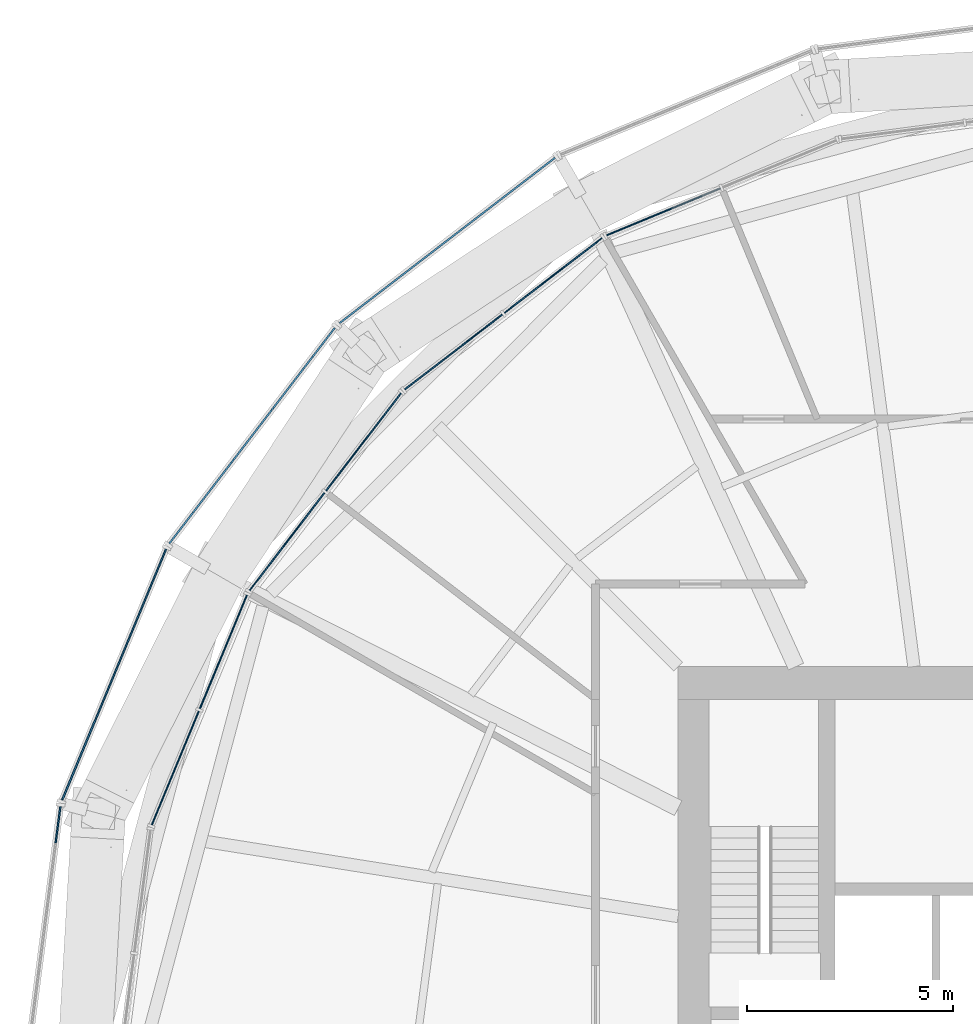
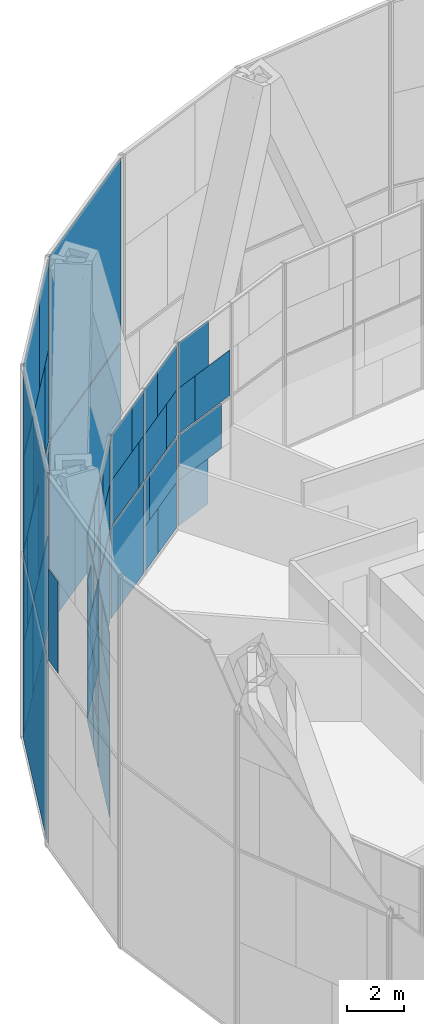
# One storey, part 16 of 22: 59 plates, 8 elements without a shape of their own.
"""IFC4 building model written with IfcOpenShell, lengths in metres."""

from ifc_helpers import new_model, si_unit, direction, frame, origin, origin_2d, place, context, subcontext, project, spatial, rectangle, extrude, material, layer, layer_set, type_object, element, aggregate, save


model = new_model("IFC4")

# Units and contexts
model_context = context("Model", 3, precision=1e-05, world=origin(), true_north=direction((0.0, 1.0)))
body_context = subcontext(model_context, "Body", "Model", "MODEL_VIEW")
ifc_project = project(units=[si_unit("LENGTHUNIT", "METRE"), si_unit("AREAUNIT", "SQUARE_METRE"), si_unit("VOLUMEUNIT", "CUBIC_METRE"), si_unit("PLANEANGLEUNIT", "RADIAN"), si_unit("MASSUNIT", "GRAM", prefix="KILO")], contexts=[model_context])

# Site, building, storey
site_placement = place(None, origin())
site = spatial("IfcSite", under=ifc_project, at=site_placement, CompositionType="ELEMENT")
building_placement = place(site_placement, origin())
building = spatial("IfcBuilding", under=site, at=building_placement, Name="Golbaran Civic Tower", CompositionType="ELEMENT")
storey_placement = place(building_placement, frame((0.0, 0.0, 53.0)))
storey = spatial("IfcBuildingStorey", under=building, at=storey_placement, Name="L12", CompositionType="ELEMENT", Elevation=53.0)

# Curtain wall, plates
ifc_material_1 = material(Name="Aluminium and glass", Category="aluminium")
curtain_wall_type_1 = type_object("IfcCurtainWallType", Name="INNER SKIN CURTAIN WALL", PredefinedType="NOTDEFINED", material=ifc_material_1)
curtain_wall_1_placement = place(storey_placement, origin())
curtain_wall_1 = element("IfcCurtainWall", 1, at=curtain_wall_1_placement, inside=storey, type_object=curtain_wall_type_1, Name="Inner skin L12 facet 8 CW1", ObjectType="INNER SKIN", PredefinedType="USERDEFINED")
ifc_material_2 = material(Name="Clear insulating glass", Category="glass")
ifc_layer_1 = layer(ifc_material_2, 0.031982421875, Name="Clear insulating glass")
ifc_layer_set_1 = layer_set([ifc_layer_1], Name="Clear insulating glass")
plate_type_1 = type_object("IfcPlateType", Name="INNER SKIN CURTAIN WALL GLAZED PANEL", PredefinedType="CURTAIN_PANEL", material=ifc_layer_set_1)
plate_1_placement = place(storey_placement, frame((-11.292724609375, 20.63232421875, 4.032470703125), z_axis=(0.0, 0.0, 1.0), x_axis=(-0.923879532491, -0.382683432413, 0.0)))
plate_1 = element("IfcPlate", 2, at=plate_1_placement, type_object=plate_type_1, Name="CW1 panel 2.2 part 2", PredefinedType="CURTAIN_PANEL", context=body_context, shape_type="SweptSolid", body=[
    extrude(rectangle(XDim=0.951904296875, YDim=0.031982421875, at=origin_2d()), origin(), (0.0, 0.0, 1.0), 1.951171875),
])
plate_2_placement = place(storey_placement, frame((-10.92822265625, 20.783203125, 5.98388671875), z_axis=(0.0, 0.0, 1.0), x_axis=(-0.923879532491, -0.382683432413, 0.0)))
plate_2 = element("IfcPlate", 3, at=plate_2_placement, type_object=plate_type_1, Name="CW1 panel 2.2 part 4", PredefinedType="CURTAIN_PANEL", context=body_context, shape_type="SweptSolid", body=[
    extrude(rectangle(XDim=1.740966796875, YDim=0.031982421875, at=origin_2d()), origin(), (0.0, 0.0, 1.0), 1.951171875),
])

curtain_wall_2_placement = place(storey_placement, origin())
curtain_wall_2 = element("IfcCurtainWall", 4, at=curtain_wall_2_placement, inside=storey, type_object=curtain_wall_type_1, Name="Inner skin L12 facet 9 CW1", ObjectType="INNER SKIN", PredefinedType="USERDEFINED")
plate_3_placement = place(storey_placement, frame((-13.704833984375, 18.957763671875, 0.06494140625), z_axis=(0.0, 0.0, 1.0), x_axis=(-0.79335334027, -0.608761429036, 0.0)))
plate_3 = element("IfcPlate", 5, at=plate_3_placement, type_object=plate_type_1, Name="CW1 panel 1.1 part 2", PredefinedType="CURTAIN_PANEL", context=body_context, shape_type="SweptSolid", body=[
    extrude(rectangle(XDim=1.27099609375, YDim=0.031982421875, at=origin_2d()), origin(), (0.0, 0.0, 1.0), 1.951171875),
])
plate_4_placement = place(storey_placement, frame((-14.016357421875, 18.71875, 2.016357421875), z_axis=(0.0, 0.0, 1.0), x_axis=(-0.79335334027, -0.608761429036, 0.0)))
plate_4 = element("IfcPlate", 6, at=plate_4_placement, type_object=plate_type_1, Name="CW1 panel 1.1 part 4", PredefinedType="CURTAIN_PANEL", context=body_context, shape_type="SweptSolid", body=[
    extrude(rectangle(XDim=0.48583984375, YDim=0.031982421875, at=origin_2d()), origin(), (0.0, 0.0, 1.0), 1.951171875),
])
plate_5_placement = place(storey_placement, frame((-12.2216796875, 20.095947265625, 4.032470703125), z_axis=(0.0, 0.0, 1.0), x_axis=(-0.79335334027, -0.608761429036, 0.0)))
plate_5 = element("IfcPlate", 7, at=plate_5_placement, type_object=plate_type_1, Name="CW1 panel 1.2 part 1", PredefinedType="CURTAIN_PANEL", context=body_context, shape_type="SweptSolid", body=[
    extrude(rectangle(XDim=0.951904296875, YDim=0.031982421875, at=origin_2d()), origin(), (0.0, 0.0, 1.0), 1.951171875),
])
plate_6_placement = place(storey_placement, frame((-12.53466796875, 19.855712890625, 5.98388671875), z_axis=(0.0, 0.0, 1.0), x_axis=(-0.79335334027, -0.608761429036, 0.0)))
plate_6 = element("IfcPlate", 8, at=plate_6_placement, type_object=plate_type_1, Name="CW1 panel 1.2 part 3", PredefinedType="CURTAIN_PANEL", context=body_context, shape_type="SweptSolid", body=[
    extrude(rectangle(XDim=1.740966796875, YDim=0.031982421875, at=origin_2d()), origin(), (0.0, 0.0, 1.0), 1.951171875),
])
plate_7_placement = place(storey_placement, frame((-15.443115234375, 17.6240234375, 0.06494140625), z_axis=(0.0, 0.0, 1.0), x_axis=(-0.79335334027, -0.608761429036, 0.0)))
plate_7 = element("IfcPlate", 9, at=plate_7_placement, type_object=plate_type_1, Name="CW1 panel 2.1", PredefinedType="CURTAIN_PANEL", context=body_context, shape_type="SweptSolid", body=[
    extrude(rectangle(XDim=2.98095703125, YDim=0.031982421875, at=origin_2d()), origin(), (0.0, 0.0, 1.0), 3.902587890625),
])
plate_8_placement = place(storey_placement, frame((-15.601806640625, 17.502197265625, 4.032470703125), z_axis=(0.0, 0.0, 1.0), x_axis=(-0.79335334027, -0.608761429036, 0.0)))
plate_8 = element("IfcPlate", 10, at=plate_8_placement, type_object=plate_type_1, Name="CW1 panel 2.2 part 2", PredefinedType="CURTAIN_PANEL", context=body_context, shape_type="SweptSolid", body=[
    extrude(rectangle(XDim=2.5810546875, YDim=0.031982421875, at=origin_2d()), origin(), (0.0, 0.0, 1.0), 1.951171875),
])
plate_9_placement = place(storey_placement, frame((-15.857666015625, 17.305908203125, 5.98388671875), z_axis=(0.0, 0.0, 1.0), x_axis=(-0.79335334027, -0.608761429036, 0.0)))
plate_9 = element("IfcPlate", 11, at=plate_9_placement, type_object=plate_type_1, Name="CW1 panel 2.2 part 4", PredefinedType="CURTAIN_PANEL", context=body_context, shape_type="SweptSolid", body=[
    extrude(rectangle(XDim=1.93603515625, YDim=0.031982421875, at=origin_2d()), origin(), (0.0, 0.0, 1.0), 1.951171875),
])

curtain_wall_3_placement = place(storey_placement, origin())
curtain_wall_3 = element("IfcCurtainWall", 12, at=curtain_wall_3_placement, inside=storey, type_object=curtain_wall_type_1, Name="Inner skin L12 facet 10 CW1", ObjectType="INNER SKIN", PredefinedType="USERDEFINED")
plate_10_placement = place(storey_placement, frame((-17.6240234375, 15.443115234375, 0.06494140625), z_axis=(0.0, 0.0, 1.0), x_axis=(-0.608761429036, -0.79335334027, 0.0)))
plate_10 = element("IfcPlate", 13, at=plate_10_placement, type_object=plate_type_1, Name="CW1 panel 1.1", PredefinedType="CURTAIN_PANEL", context=body_context, shape_type="SweptSolid", body=[
    extrude(rectangle(XDim=2.98095703125, YDim=0.031982421875, at=origin_2d()), origin(), (0.0, 0.0, 1.0), 3.902587890625),
])
plate_11_placement = place(storey_placement, frame((-17.501708984375, 15.6025390625, 4.032470703125), z_axis=(0.0, 0.0, 1.0), x_axis=(-0.608761429036, -0.79335334027, 0.0)))
plate_11 = element("IfcPlate", 14, at=plate_11_placement, type_object=plate_type_1, Name="CW1 panel 1.2 part 1", PredefinedType="CURTAIN_PANEL", context=body_context, shape_type="SweptSolid", body=[
    extrude(rectangle(XDim=2.5791015625, YDim=0.031982421875, at=origin_2d()), origin(), (0.0, 0.0, 1.0), 1.951171875),
])
plate_12_placement = place(storey_placement, frame((-17.305908203125, 15.857666015625, 5.98388671875), z_axis=(0.0, 0.0, 1.0), x_axis=(-0.608761429036, -0.79335334027, 0.0)))
plate_12 = element("IfcPlate", 15, at=plate_12_placement, type_object=plate_type_1, Name="CW1 panel 1.2 part 3", PredefinedType="CURTAIN_PANEL", context=body_context, shape_type="SweptSolid", body=[
    extrude(rectangle(XDim=1.93603515625, YDim=0.031982421875, at=origin_2d()), origin(), (0.0, 0.0, 1.0), 1.951171875),
])
plate_13_placement = place(storey_placement, frame((-18.957763671875, 13.704833984375, 0.06494140625), z_axis=(0.0, 0.0, 1.0), x_axis=(-0.608761429036, -0.79335334027, 0.0)))
plate_13 = element("IfcPlate", 16, at=plate_13_placement, type_object=plate_type_1, Name="CW1 panel 2.1 part 1", PredefinedType="CURTAIN_PANEL", context=body_context, shape_type="SweptSolid", body=[
    extrude(rectangle(XDim=1.27099609375, YDim=0.031982421875, at=origin_2d()), origin(), (0.0, 0.0, 1.0), 1.951171875),
])
plate_14_placement = place(storey_placement, frame((-18.718994140625, 14.016357421875, 2.016357421875), z_axis=(0.0, 0.0, 1.0), x_axis=(-0.608761429036, -0.79335334027, 0.0)))
plate_14 = element("IfcPlate", 17, at=plate_14_placement, type_object=plate_type_1, Name="CW1 panel 2.1 part 3", PredefinedType="CURTAIN_PANEL", context=body_context, shape_type="SweptSolid", body=[
    extrude(rectangle(XDim=0.486083984375, YDim=0.031982421875, at=origin_2d()), origin(), (0.0, 0.0, 1.0), 1.951171875),
])
plate_15_placement = place(storey_placement, frame((-20.095947265625, 12.2216796875, 4.032470703125), z_axis=(0.0, 0.0, 1.0), x_axis=(-0.608761429036, -0.79335334027, 0.0)))
plate_15 = element("IfcPlate", 18, at=plate_15_placement, type_object=plate_type_1, Name="CW1 panel 2.2 part 2", PredefinedType="CURTAIN_PANEL", context=body_context, shape_type="SweptSolid", body=[
    extrude(rectangle(XDim=0.951904296875, YDim=0.031982421875, at=origin_2d()), origin(), (0.0, 0.0, 1.0), 1.951171875),
])
plate_16_placement = place(storey_placement, frame((-19.855712890625, 12.53466796875, 5.98388671875), z_axis=(0.0, 0.0, 1.0), x_axis=(-0.608761429036, -0.79335334027, 0.0)))
plate_16 = element("IfcPlate", 19, at=plate_16_placement, type_object=plate_type_1, Name="CW1 panel 2.2 part 4", PredefinedType="CURTAIN_PANEL", context=body_context, shape_type="SweptSolid", body=[
    extrude(rectangle(XDim=1.740966796875, YDim=0.031982421875, at=origin_2d()), origin(), (0.0, 0.0, 1.0), 1.951171875),
])

curtain_wall_4_placement = place(storey_placement, origin())
curtain_wall_4 = element("IfcCurtainWall", 20, at=curtain_wall_4_placement, inside=storey, type_object=curtain_wall_type_1, Name="Inner skin L12 facet 11 CW1", ObjectType="INNER SKIN", PredefinedType="USERDEFINED")
plate_17_placement = place(storey_placement, frame((-21.34765625, 9.5654296875, 0.06494140625), z_axis=(0.0, 0.0, 1.0), x_axis=(-0.382683432413, -0.923879532491, 0.0)))
plate_17 = element("IfcPlate", 21, at=plate_17_placement, type_object=plate_type_1, Name="CW1 panel 1.1 part 2", PredefinedType="CURTAIN_PANEL", context=body_context, shape_type="SweptSolid", body=[
    extrude(rectangle(XDim=1.27099609375, YDim=0.031982421875, at=origin_2d()), origin(), (0.0, 0.0, 1.0), 1.951171875),
])
plate_18_placement = place(storey_placement, frame((-21.497802734375, 9.202880859375, 2.016357421875), z_axis=(0.0, 0.0, 1.0), x_axis=(-0.382683432413, -0.923879532491, 0.0)))
plate_18 = element("IfcPlate", 22, at=plate_18_placement, type_object=plate_type_1, Name="CW1 panel 1.1 part 4", PredefinedType="CURTAIN_PANEL", context=body_context, shape_type="SweptSolid", body=[
    extrude(rectangle(XDim=0.48583984375, YDim=0.031982421875, at=origin_2d()), origin(), (0.0, 0.0, 1.0), 1.951171875),
])
plate_19_placement = place(storey_placement, frame((-20.63232421875, 11.292724609375, 4.032470703125), z_axis=(0.0, 0.0, 1.0), x_axis=(-0.382683432413, -0.923879532491, 0.0)))
plate_19 = element("IfcPlate", 23, at=plate_19_placement, type_object=plate_type_1, Name="CW1 panel 1.2 part 1", PredefinedType="CURTAIN_PANEL", context=body_context, shape_type="SweptSolid", body=[
    extrude(rectangle(XDim=0.951904296875, YDim=0.031982421875, at=origin_2d()), origin(), (0.0, 0.0, 1.0), 1.951171875),
])
plate_20_placement = place(storey_placement, frame((-20.783203125, 10.92822265625, 5.98388671875), z_axis=(0.0, 0.0, 1.0), x_axis=(-0.382683432413, -0.923879532491, 0.0)))
plate_20 = element("IfcPlate", 24, at=plate_20_placement, type_object=plate_type_1, Name="CW1 panel 1.2 part 3", PredefinedType="CURTAIN_PANEL", context=body_context, shape_type="SweptSolid", body=[
    extrude(rectangle(XDim=1.740966796875, YDim=0.031982421875, at=origin_2d()), origin(), (0.0, 0.0, 1.0), 1.951171875),
])
plate_21_placement = place(storey_placement, frame((-22.18603515625, 7.541259765625, 0.06494140625), z_axis=(0.0, 0.0, 1.0), x_axis=(-0.382683432413, -0.923879532491, 0.0)))
plate_21 = element("IfcPlate", 25, at=plate_21_placement, type_object=plate_type_1, Name="CW1 panel 2.1", PredefinedType="CURTAIN_PANEL", context=body_context, shape_type="SweptSolid", body=[
    extrude(rectangle(XDim=2.98095703125, YDim=0.031982421875, at=origin_2d()), origin(), (0.0, 0.0, 1.0), 3.902587890625),
])
plate_22_placement = place(storey_placement, frame((-22.2626953125, 7.3564453125, 4.032470703125), z_axis=(0.0, 0.0, 1.0), x_axis=(-0.382683432413, -0.923879532491, 0.0)))
plate_22 = element("IfcPlate", 26, at=plate_22_placement, type_object=plate_type_1, Name="CW1 panel 2.2 part 2", PredefinedType="CURTAIN_PANEL", context=body_context, shape_type="SweptSolid", body=[
    extrude(rectangle(XDim=2.5810546875, YDim=0.031982421875, at=origin_2d()), origin(), (0.0, 0.0, 1.0), 1.951171875),
])
plate_23_placement = place(storey_placement, frame((-22.385986328125, 7.05859375, 5.98388671875), z_axis=(0.0, 0.0, 1.0), x_axis=(-0.382683432413, -0.923879532491, 0.0)))
plate_23 = element("IfcPlate", 27, at=plate_23_placement, type_object=plate_type_1, Name="CW1 panel 2.2 part 4", PredefinedType="CURTAIN_PANEL", context=body_context, shape_type="SweptSolid", body=[
    extrude(rectangle(XDim=1.93603515625, YDim=0.031982421875, at=origin_2d()), origin(), (0.0, 0.0, 1.0), 1.951171875),
])

# Plate
ifc_material_3 = material(Name="Aluminium faced opaque infill panel", Category="aluminium")
ifc_layer_2 = layer(ifc_material_3, 0.031982421875, Name="Aluminium faced opaque infill panel")
ifc_layer_set_2 = layer_set([ifc_layer_2], Name="Aluminium faced opaque infill panel")
plate_type_2 = type_object("IfcPlateType", Name="INNER SKIN CURTAIN WALL OPAQUE INFILL PANEL", PredefinedType="CURTAIN_PANEL", material=ifc_layer_set_2)
plate_24_placement = place(storey_placement, frame((-10.942626953125, 20.77734375, 0.06494140625), z_axis=(0.0, 0.0, 1.0), x_axis=(-0.923879532491, -0.382683432413, 0.0)))
plate_24 = element("IfcPlate", 28, at=plate_24_placement, type_object=plate_type_2, Name="CW1 infill panel 2.1 part 2", PredefinedType="CURTAIN_PANEL", context=body_context, shape_type="SweptSolid", body=[
    extrude(rectangle(XDim=1.7099609375, YDim=0.031982421875, at=origin_2d()), origin(), (0.0, 0.0, 1.0), 1.951171875),
])

plate_25_placement = place(storey_placement, frame((-10.579833984375, 20.927490234375, 2.016357421875), z_axis=(0.0, 0.0, 1.0), x_axis=(-0.923879532491, -0.382683432413, 0.0)))
plate_25 = element("IfcPlate", 29, at=plate_25_placement, type_object=plate_type_2, Name="CW1 infill panel 2.1 part 4", PredefinedType="CURTAIN_PANEL", context=body_context, shape_type="SweptSolid", body=[
    extrude(rectangle(XDim=2.494873046875, YDim=0.031982421875, at=origin_2d()), origin(), (0.0, 0.0, 1.0), 1.951171875),
])

plate_26_placement = place(storey_placement, frame((-9.915771484375, 21.20263671875, 4.032470703125), z_axis=(0.0, 0.0, 1.0), x_axis=(-0.923879532491, -0.382683432413, 0.0)))
plate_26 = element("IfcPlate", 30, at=plate_26_placement, type_object=plate_type_2, Name="CW1 infill panel 2.2 part 1", PredefinedType="CURTAIN_PANEL", context=body_context, shape_type="SweptSolid", body=[
    extrude(rectangle(XDim=2.029052734375, YDim=0.031982421875, at=origin_2d()), origin(), (0.0, 0.0, 1.0), 1.951171875),
])

aggregate(curtain_wall_1, [plate_24, plate_25, plate_26, plate_1, plate_2])

plate_27_placement = place(storey_placement, frame((-12.5224609375, 19.865234375, 0.06494140625), z_axis=(0.0, 0.0, 1.0), x_axis=(-0.79335334027, -0.608761429036, 0.0)))
plate_27 = element("IfcPlate", 31, at=plate_27_placement, type_object=plate_type_2, Name="CW1 infill panel 1.1 part 1", PredefinedType="CURTAIN_PANEL", context=body_context, shape_type="SweptSolid", body=[
    extrude(rectangle(XDim=1.7099609375, YDim=0.031982421875, at=origin_2d()), origin(), (0.0, 0.0, 1.0), 1.951171875),
])

plate_28_placement = place(storey_placement, frame((-12.833740234375, 19.626220703125, 2.016357421875), z_axis=(0.0, 0.0, 1.0), x_axis=(-0.79335334027, -0.608761429036, 0.0)))
plate_28 = element("IfcPlate", 32, at=plate_28_placement, type_object=plate_type_2, Name="CW1 infill panel 1.1 part 3", PredefinedType="CURTAIN_PANEL", context=body_context, shape_type="SweptSolid", body=[
    extrude(rectangle(XDim=2.4951171875, YDim=0.031982421875, at=origin_2d()), origin(), (0.0, 0.0, 1.0), 1.951171875),
])

plate_29_placement = place(storey_placement, frame((-13.404296875, 19.1884765625, 4.032470703125), z_axis=(0.0, 0.0, 1.0), x_axis=(-0.79335334027, -0.608761429036, 0.0)))
plate_29 = element("IfcPlate", 33, at=plate_29_placement, type_object=plate_type_2, Name="CW1 infill panel 1.2 part 2", PredefinedType="CURTAIN_PANEL", context=body_context, shape_type="SweptSolid", body=[
    extrude(rectangle(XDim=2.029052734375, YDim=0.031982421875, at=origin_2d()), origin(), (0.0, 0.0, 1.0), 1.951171875),
])

plate_30_placement = place(storey_placement, frame((-13.717041015625, 18.948486328125, 5.98388671875), z_axis=(0.0, 0.0, 1.0), x_axis=(-0.79335334027, -0.608761429036, 0.0)))
plate_30 = element("IfcPlate", 34, at=plate_30_placement, type_object=plate_type_2, Name="CW1 infill panel 1.2 part 4", PredefinedType="CURTAIN_PANEL", context=body_context, shape_type="SweptSolid", body=[
    extrude(rectangle(XDim=1.239990234375, YDim=0.031982421875, at=origin_2d()), origin(), (0.0, 0.0, 1.0), 1.951171875),
])

plate_31_placement = place(storey_placement, frame((-14.419189453125, 18.40966796875, 4.032470703125), z_axis=(0.0, 0.0, 1.0), x_axis=(-0.79335334027, -0.608761429036, 0.0)))
plate_31 = element("IfcPlate", 35, at=plate_31_placement, type_object=plate_type_2, Name="CW1 infill panel 2.2 part 1", PredefinedType="CURTAIN_PANEL", context=body_context, shape_type="SweptSolid", body=[
    extrude(rectangle(XDim=0.39990234375, YDim=0.031982421875, at=origin_2d()), origin(), (0.0, 0.0, 1.0), 1.951171875),
])

plate_32_placement = place(storey_placement, frame((-14.675048828125, 18.21337890625, 5.98388671875), z_axis=(0.0, 0.0, 1.0), x_axis=(-0.79335334027, -0.608761429036, 0.0)))
plate_32 = element("IfcPlate", 36, at=plate_32_placement, type_object=plate_type_2, Name="CW1 infill panel 2.2 part 3", PredefinedType="CURTAIN_PANEL", context=body_context, shape_type="SweptSolid", body=[
    extrude(rectangle(XDim=1.044921875, YDim=0.031982421875, at=origin_2d()), origin(), (0.0, 0.0, 1.0), 1.951171875),
])

aggregate(curtain_wall_2, [plate_27, plate_3, plate_28, plate_4, plate_5, plate_29, plate_6, plate_30, plate_7, plate_31, plate_8, plate_32, plate_9])

plate_33_placement = place(storey_placement, frame((-18.408935546875, 14.419921875, 4.032470703125), z_axis=(0.0, 0.0, 1.0), x_axis=(-0.608761429036, -0.79335334027, 0.0)))
plate_33 = element("IfcPlate", 37, at=plate_33_placement, type_object=plate_type_2, Name="CW1 infill panel 1.2 part 2", PredefinedType="CURTAIN_PANEL", context=body_context, shape_type="SweptSolid", body=[
    extrude(rectangle(XDim=0.40185546875, YDim=0.031982421875, at=origin_2d()), origin(), (0.0, 0.0, 1.0), 1.951171875),
])

plate_34_placement = place(storey_placement, frame((-18.21337890625, 14.675048828125, 5.98388671875), z_axis=(0.0, 0.0, 1.0), x_axis=(-0.608761429036, -0.79335334027, 0.0)))
plate_34 = element("IfcPlate", 38, at=plate_34_placement, type_object=plate_type_2, Name="CW1 infill panel 1.2 part 4", PredefinedType="CURTAIN_PANEL", context=body_context, shape_type="SweptSolid", body=[
    extrude(rectangle(XDim=1.044921875, YDim=0.031982421875, at=origin_2d()), origin(), (0.0, 0.0, 1.0), 1.951171875),
])

plate_35_placement = place(storey_placement, frame((-19.865234375, 12.5224609375, 0.06494140625), z_axis=(0.0, 0.0, 1.0), x_axis=(-0.608761429036, -0.79335334027, 0.0)))
plate_35 = element("IfcPlate", 39, at=plate_35_placement, type_object=plate_type_2, Name="CW1 infill panel 2.1 part 2", PredefinedType="CURTAIN_PANEL", context=body_context, shape_type="SweptSolid", body=[
    extrude(rectangle(XDim=1.7099609375, YDim=0.031982421875, at=origin_2d()), origin(), (0.0, 0.0, 1.0), 1.951171875),
])

plate_36_placement = place(storey_placement, frame((-19.626220703125, 12.833740234375, 2.016357421875), z_axis=(0.0, 0.0, 1.0), x_axis=(-0.608761429036, -0.79335334027, 0.0)))
plate_36 = element("IfcPlate", 40, at=plate_36_placement, type_object=plate_type_2, Name="CW1 infill panel 2.1 part 4", PredefinedType="CURTAIN_PANEL", context=body_context, shape_type="SweptSolid", body=[
    extrude(rectangle(XDim=2.494873046875, YDim=0.031982421875, at=origin_2d()), origin(), (0.0, 0.0, 1.0), 1.951171875),
])

plate_37_placement = place(storey_placement, frame((-19.1884765625, 13.404052734375, 4.032470703125), z_axis=(0.0, 0.0, 1.0), x_axis=(-0.608761429036, -0.79335334027, 0.0)))
plate_37 = element("IfcPlate", 41, at=plate_37_placement, type_object=plate_type_2, Name="CW1 infill panel 2.2 part 1", PredefinedType="CURTAIN_PANEL", context=body_context, shape_type="SweptSolid", body=[
    extrude(rectangle(XDim=2.029052734375, YDim=0.031982421875, at=origin_2d()), origin(), (0.0, 0.0, 1.0), 1.951171875),
])

plate_38_placement = place(storey_placement, frame((-18.948486328125, 13.717041015625, 5.98388671875), z_axis=(0.0, 0.0, 1.0), x_axis=(-0.608761429036, -0.79335334027, 0.0)))
plate_38 = element("IfcPlate", 42, at=plate_38_placement, type_object=plate_type_2, Name="CW1 infill panel 2.2 part 3", PredefinedType="CURTAIN_PANEL", context=body_context, shape_type="SweptSolid", body=[
    extrude(rectangle(XDim=1.239990234375, YDim=0.031982421875, at=origin_2d()), origin(), (0.0, 0.0, 1.0), 1.951171875),
])

aggregate(curtain_wall_3, [plate_10, plate_11, plate_33, plate_12, plate_34, plate_13, plate_35, plate_14, plate_36, plate_37, plate_15, plate_38, plate_16])

plate_39_placement = place(storey_placement, frame((-20.77734375, 10.942626953125, 0.06494140625), z_axis=(0.0, 0.0, 1.0), x_axis=(-0.382683432413, -0.923879532491, 0.0)))
plate_39 = element("IfcPlate", 43, at=plate_39_placement, type_object=plate_type_2, Name="CW1 infill panel 1.1 part 1", PredefinedType="CURTAIN_PANEL", context=body_context, shape_type="SweptSolid", body=[
    extrude(rectangle(XDim=1.7099609375, YDim=0.031982421875, at=origin_2d()), origin(), (0.0, 0.0, 1.0), 1.951171875),
])

plate_40_placement = place(storey_placement, frame((-20.927490234375, 10.579833984375, 2.016357421875), z_axis=(0.0, 0.0, 1.0), x_axis=(-0.382683432413, -0.923879532491, 0.0)))
plate_40 = element("IfcPlate", 44, at=plate_40_placement, type_object=plate_type_2, Name="CW1 infill panel 1.1 part 3", PredefinedType="CURTAIN_PANEL", context=body_context, shape_type="SweptSolid", body=[
    extrude(rectangle(XDim=2.4951171875, YDim=0.031982421875, at=origin_2d()), origin(), (0.0, 0.0, 1.0), 1.951171875),
])

plate_41_placement = place(storey_placement, frame((-21.20263671875, 9.915771484375, 4.032470703125), z_axis=(0.0, 0.0, 1.0), x_axis=(-0.382683432413, -0.923879532491, 0.0)))
plate_41 = element("IfcPlate", 45, at=plate_41_placement, type_object=plate_type_2, Name="CW1 infill panel 1.2 part 2", PredefinedType="CURTAIN_PANEL", context=body_context, shape_type="SweptSolid", body=[
    extrude(rectangle(XDim=2.029052734375, YDim=0.031982421875, at=origin_2d()), origin(), (0.0, 0.0, 1.0), 1.951171875),
])

plate_42_placement = place(storey_placement, frame((-21.353515625, 9.55126953125, 5.98388671875), z_axis=(0.0, 0.0, 1.0), x_axis=(-0.382683432413, -0.923879532491, 0.0)))
plate_42 = element("IfcPlate", 46, at=plate_42_placement, type_object=plate_type_2, Name="CW1 infill panel 1.2 part 4", PredefinedType="CURTAIN_PANEL", context=body_context, shape_type="SweptSolid", body=[
    extrude(rectangle(XDim=1.239990234375, YDim=0.031982421875, at=origin_2d()), origin(), (0.0, 0.0, 1.0), 1.951171875),
])

plate_43_placement = place(storey_placement, frame((-21.692138671875, 8.733642578125, 4.032470703125), z_axis=(0.0, 0.0, 1.0), x_axis=(-0.382683432413, -0.923879532491, 0.0)))
plate_43 = element("IfcPlate", 47, at=plate_43_placement, type_object=plate_type_2, Name="CW1 infill panel 2.2 part 1", PredefinedType="CURTAIN_PANEL", context=body_context, shape_type="SweptSolid", body=[
    extrude(rectangle(XDim=0.39990234375, YDim=0.031982421875, at=origin_2d()), origin(), (0.0, 0.0, 1.0), 1.951171875),
])

plate_44_placement = place(storey_placement, frame((-21.815673828125, 8.435546875, 5.98388671875), z_axis=(0.0, 0.0, 1.0), x_axis=(-0.382683432413, -0.923879532491, 0.0)))
plate_44 = element("IfcPlate", 48, at=plate_44_placement, type_object=plate_type_2, Name="CW1 infill panel 2.2 part 3", PredefinedType="CURTAIN_PANEL", context=body_context, shape_type="SweptSolid", body=[
    extrude(rectangle(XDim=1.044921875, YDim=0.031982421875, at=origin_2d()), origin(), (0.0, 0.0, 1.0), 1.951171875),
])

aggregate(curtain_wall_4, [plate_39, plate_17, plate_40, plate_18, plate_19, plate_41, plate_20, plate_42, plate_21, plate_43, plate_22, plate_44, plate_23])

# Curtain wall, plates
curtain_wall_type_2 = type_object("IfcCurtainWallType", Name="OUTER SKIN TERRACOTTA SCREEN", PredefinedType="NOTDEFINED", material=ifc_material_1)
curtain_wall_5_placement = place(storey_placement, origin())
curtain_wall_5 = element("IfcCurtainWall", 49, at=curtain_wall_5_placement, inside=storey, type_object=curtain_wall_type_2, Name="Outer skin L12 facet 10 CW3", ObjectType="OUTER SKIN", PredefinedType="USERDEFINED")
ifc_material_4 = material(Name="Clear laminated glass", Category="glass")
ifc_layer_3 = layer(ifc_material_4, 0.0400390625, Name="Clear laminated glass")
ifc_layer_set_3 = layer_set([ifc_layer_3], Name="Clear laminated glass")
plate_type_3 = type_object("IfcPlateType", Name="OUTER SKIN CLEAR GLASS PANEL", PredefinedType="CURTAIN_PANEL", material=ifc_layer_set_3)
plate_45_placement = place(storey_placement, frame((-19.570556640625, 16.58056640625, -0.6298828125), z_axis=(0.0, 0.0, 1.0), x_axis=(-0.608761428926, -0.793353340355, 0.0)))
plate_45 = element("IfcPlate", 50, at=plate_45_placement, type_object=plate_type_3, Name="CW3 panel 1.1 part 1", PredefinedType="CURTAIN_PANEL", context=body_context, shape_type="SweptSolid", body=[
    extrude(rectangle(XDim=4.10498046875, YDim=0.0400390625, at=origin_2d()), origin(), (0.0, 0.0, 1.0), 3.93994140625),
])
plate_46_placement = place(storey_placement, frame((-19.08544921875, 17.212890625, 3.31005859375), z_axis=(0.0, 0.0, 1.0), x_axis=(-0.608761428926, -0.793353340355, 0.0)))
plate_46 = element("IfcPlate", 51, at=plate_46_placement, type_object=plate_type_3, Name="CW3 panel 1.1 part 3", PredefinedType="CURTAIN_PANEL", context=body_context, shape_type="SweptSolid", body=[
    extrude(rectangle(XDim=2.510986328125, YDim=0.0400390625, at=origin_2d()), origin(), (0.0, 0.0, 1.0), 3.93994140625),
])
plate_47_placement = place(storey_placement, frame((-22.04541015625, 13.355224609375, 3.31005859375), z_axis=(0.0, 0.0, 1.0), x_axis=(-0.608761428926, -0.793353340355, 0.0)))
plate_47 = element("IfcPlate", 52, at=plate_47_placement, type_object=plate_type_3, Name="CW3 panel 1.1 part 5", PredefinedType="CURTAIN_PANEL", context=body_context, shape_type="SweptSolid", body=[
    extrude(rectangle(XDim=0.935791015625, YDim=0.0400390625, at=origin_2d()), origin(), (0.0, 0.0, 1.0), 3.93994140625),
])
plate_48_placement = place(storey_placement, frame((-18.5908203125, 17.857421875, 7.330078125), z_axis=(0.0, 0.0, 1.0), x_axis=(-0.608761428926, -0.793353340355, 0.0)))
plate_48 = element("IfcPlate", 53, at=plate_48_placement, type_object=plate_type_3, Name="CW3 panel 1.2 part 1", PredefinedType="CURTAIN_PANEL", context=body_context, shape_type="SweptSolid", body=[
    extrude(rectangle(XDim=0.885986328125, YDim=0.0400390625, at=origin_2d()), origin(), (0.0, 0.0, 1.0), 3.93994140625),
])
plate_49_placement = place(storey_placement, frame((-21.55322265625, 13.99658203125, 7.330078125), z_axis=(0.0, 0.0, 1.0), x_axis=(-0.608761428926, -0.793353340355, 0.0)))
plate_49 = element("IfcPlate", 54, at=plate_49_placement, type_object=plate_type_3, Name="CW3 panel 1.2 part 3", PredefinedType="CURTAIN_PANEL", context=body_context, shape_type="SweptSolid", body=[
    extrude(rectangle(XDim=2.552734375, YDim=0.0400390625, at=origin_2d()), origin(), (0.0, 0.0, 1.0), 3.93994140625),
])
plate_50_placement = place(storey_placement, frame((-21.07080078125, 14.625244140625, 11.27001953125), z_axis=(0.0, 0.0, 1.0), x_axis=(-0.608761428926, -0.793353340355, 0.0)))
plate_50 = element("IfcPlate", 55, at=plate_50_placement, type_object=plate_type_3, Name="CW3 panel 1.2 part 5", PredefinedType="CURTAIN_PANEL", context=body_context, shape_type="SweptSolid", body=[
    extrude(rectangle(XDim=4.137939453125, YDim=0.0400390625, at=origin_2d()), origin(), (0.0, 0.0, 1.0), 3.93994140625),
])

# Curtain wall, plate
curtain_wall_6_placement = place(storey_placement, origin())
curtain_wall_6 = element("IfcCurtainWall", 56, at=curtain_wall_6_placement, inside=storey, type_object=curtain_wall_type_2, Name="Outer skin L12 facet 12 CW3", ObjectType="OUTER SKIN", PredefinedType="USERDEFINED")
plate_51_placement = place(storey_placement, frame((-25.02880859375, 6.169677734375, 7.330078125), z_axis=(0.0, 0.0, 1.0), x_axis=(-0.130526192255, -0.991444861369, 0.0)))
plate_51 = element("IfcPlate", 57, at=plate_51_placement, type_object=plate_type_3, Name="CW3 panel 1.2 part 1", PredefinedType="CURTAIN_PANEL", context=body_context, shape_type="SweptSolid", body=[
    extrude(rectangle(XDim=0.885986328125, YDim=0.0400390625, at=origin_2d()), origin(), (0.0, 0.0, 1.0), 3.93994140625),
])
aggregate(curtain_wall_6, [plate_51])

# Plate
ifc_material_5 = material(Name="Terracotta baguette screen", Category="masonry")
ifc_layer_4 = layer(ifc_material_5, 0.0400390625, Name="Terracotta baguette screen")
ifc_layer_set_4 = layer_set([ifc_layer_4], Name="Terracotta baguette screen")
plate_type_4 = type_object("IfcPlateType", Name="OUTER SKIN TERRACOTTA INFILL PANEL", PredefinedType="CURTAIN_PANEL", material=ifc_layer_set_4)
plate_52_placement = place(storey_placement, frame((-21.5751953125, 13.968017578125, -0.6298828125), z_axis=(0.0, 0.0, 1.0), x_axis=(-0.608761428926, -0.793353340355, 0.0)))
plate_52 = element("IfcPlate", 58, at=plate_52_placement, type_object=plate_type_4, Name="CW3 infill panel 1.1 part 2", PredefinedType="CURTAIN_PANEL", context=body_context, shape_type="SweptSolid", body=[
    extrude(rectangle(XDim=2.48095703125, YDim=0.0400390625, at=origin_2d()), origin(), (0.0, 0.0, 1.0), 3.93994140625),
])

plate_53_placement = place(storey_placement, frame((-20.80517578125, 14.9716796875, 3.31005859375), z_axis=(0.0, 0.0, 1.0), x_axis=(-0.608761428926, -0.793353340355, 0.0)))
plate_53 = element("IfcPlate", 59, at=plate_53_placement, type_object=plate_type_4, Name="CW3 infill panel 1.1 part 4", PredefinedType="CURTAIN_PANEL", context=body_context, shape_type="SweptSolid", body=[
    extrude(rectangle(XDim=3.138916015625, YDim=0.0400390625, at=origin_2d()), origin(), (0.0, 0.0, 1.0), 3.93994140625),
])

plate_54_placement = place(storey_placement, frame((-19.818359375, 16.257568359375, 7.330078125), z_axis=(0.0, 0.0, 1.0), x_axis=(-0.608761428926, -0.793353340355, 0.0)))
plate_54 = element("IfcPlate", 60, at=plate_54_placement, type_object=plate_type_4, Name="CW3 infill panel 1.2 part 2", PredefinedType="CURTAIN_PANEL", context=body_context, shape_type="SweptSolid", body=[
    extrude(rectangle(XDim=3.14697265625, YDim=0.0400390625, at=origin_2d()), origin(), (0.0, 0.0, 1.0), 3.93994140625),
])

plate_55_placement = place(storey_placement, frame((-19.066162109375, 17.23779296875, 11.27001953125), z_axis=(0.0, 0.0, 1.0), x_axis=(-0.608761428926, -0.793353340355, 0.0)))
plate_55 = element("IfcPlate", 61, at=plate_55_placement, type_object=plate_type_4, Name="CW3 infill panel 1.2 part 4", PredefinedType="CURTAIN_PANEL", context=body_context, shape_type="SweptSolid", body=[
    extrude(rectangle(XDim=2.447998046875, YDim=0.0400390625, at=origin_2d()), origin(), (0.0, 0.0, 1.0), 3.93994140625),
])

aggregate(curtain_wall_5, [plate_45, plate_52, plate_46, plate_53, plate_47, plate_48, plate_54, plate_49, plate_55, plate_50])

# Curtain wall, plates
curtain_wall_7_placement = place(storey_placement, origin())
curtain_wall_7 = element("IfcCurtainWall", 62, at=curtain_wall_7_placement, inside=storey, type_object=curtain_wall_type_2, Name="Outer skin L12 facet 9 CW3", ObjectType="OUTER SKIN", PredefinedType="USERDEFINED")
ifc_layer_5 = layer(ifc_material_5, 0.0400390625, Name="Terracotta baguette screen")
ifc_layer_set_5 = layer_set([ifc_layer_5], Name="Terracotta baguette screen")
plate_type_5 = type_object("IfcPlateType", Name="OUTER SKIN TERRACOTTA SCREEN PANEL", PredefinedType="CURTAIN_PANEL", material=ifc_layer_set_5)
plate_56_placement = place(storey_placement, frame((-15.596435546875, 20.32568359375, -0.6298828125), z_axis=(0.0, 0.0, 1.0), x_axis=(-0.793353340355, -0.608761428926, 0.0)))
plate_56 = element("IfcPlate", 63, at=plate_56_placement, type_object=plate_type_5, Name="CW3 terracotta screen panel 1.1", PredefinedType="CURTAIN_PANEL", context=body_context, shape_type="SweptSolid", body=[
    extrude(rectangle(XDim=6.5859375, YDim=0.0400390625, at=origin_2d()), origin(), (0.0, 0.0, 1.0), 7.8798828125),
])
plate_57_placement = place(storey_placement, frame((-15.596435546875, 20.32568359375, 7.330078125), z_axis=(0.0, 0.0, 1.0), x_axis=(-0.793353340355, -0.608761428926, 0.0)))
plate_57 = element("IfcPlate", 64, at=plate_57_placement, type_object=plate_type_5, Name="CW3 terracotta screen panel 1.2", PredefinedType="CURTAIN_PANEL", context=body_context, shape_type="SweptSolid", body=[
    extrude(rectangle(XDim=6.5859375, YDim=0.0400390625, at=origin_2d()), origin(), (0.0, 0.0, 1.0), 7.8798828125),
])
aggregate(curtain_wall_7, [plate_56, plate_57])

curtain_wall_8_placement = place(storey_placement, origin())
curtain_wall_8 = element("IfcCurtainWall", 65, at=curtain_wall_8_placement, inside=storey, type_object=curtain_wall_type_2, Name="Outer skin L12 facet 11 CW3", ObjectType="OUTER SKIN", PredefinedType="USERDEFINED")
plate_58_placement = place(storey_placement, frame((-23.669677734375, 9.804443359375, -0.6298828125), z_axis=(0.0, 0.0, 1.0), x_axis=(-0.382683432349, -0.923879532518, 0.0)))
plate_58 = element("IfcPlate", 66, at=plate_58_placement, type_object=plate_type_5, Name="CW3 terracotta screen panel 1.1", PredefinedType="CURTAIN_PANEL", context=body_context, shape_type="SweptSolid", body=[
    extrude(rectangle(XDim=6.5859375, YDim=0.0400390625, at=origin_2d()), origin(), (0.0, 0.0, 1.0), 7.8798828125),
])
plate_59_placement = place(storey_placement, frame((-23.669677734375, 9.804443359375, 7.330078125), z_axis=(0.0, 0.0, 1.0), x_axis=(-0.382683432349, -0.923879532518, 0.0)))
plate_59 = element("IfcPlate", 67, at=plate_59_placement, type_object=plate_type_5, Name="CW3 terracotta screen panel 1.2", PredefinedType="CURTAIN_PANEL", context=body_context, shape_type="SweptSolid", body=[
    extrude(rectangle(XDim=6.5859375, YDim=0.0400390625, at=origin_2d()), origin(), (0.0, 0.0, 1.0), 7.8798828125),
])
aggregate(curtain_wall_8, [plate_58, plate_59])

save(model, "model.ifc")
